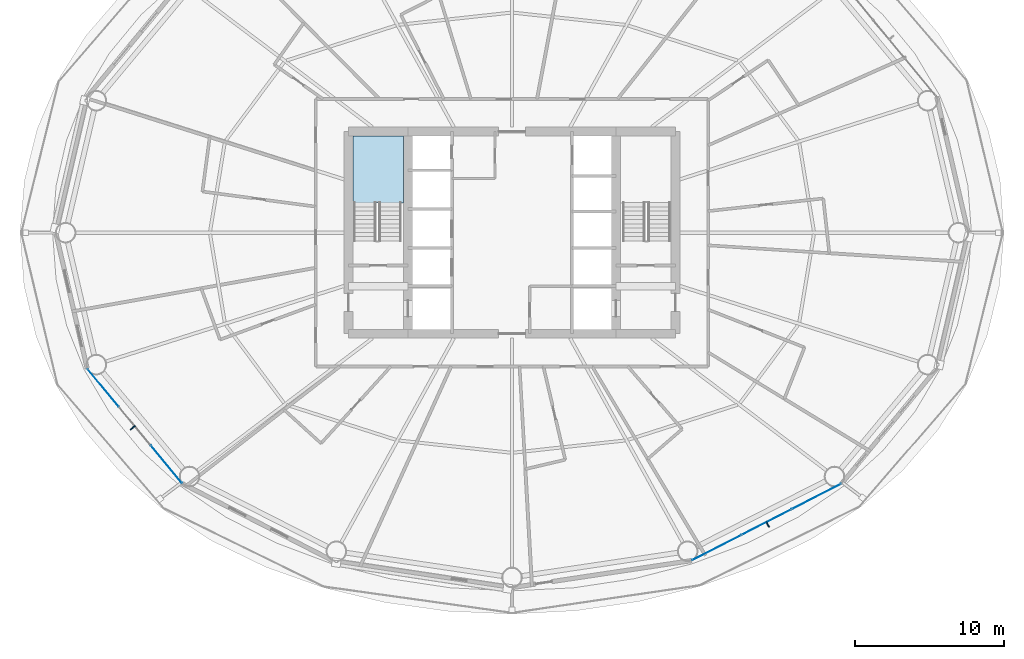
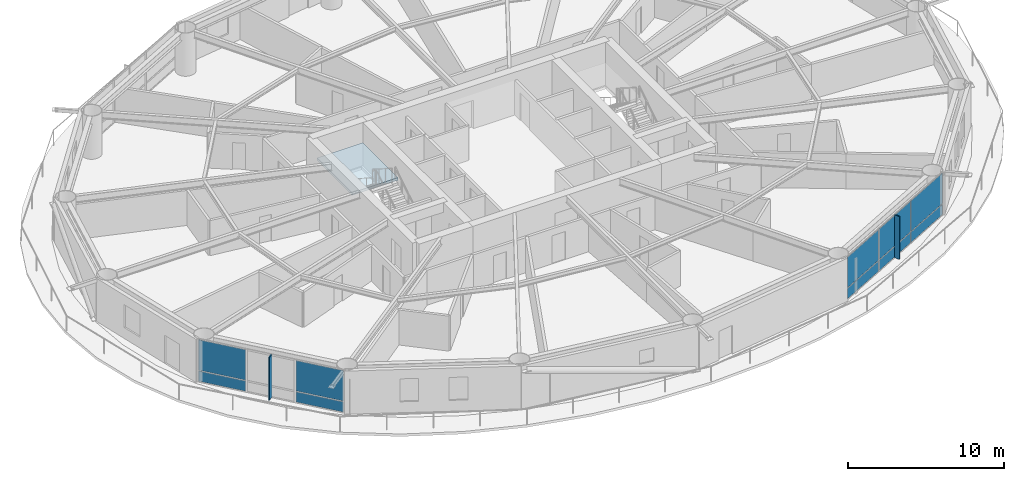
# One storey, part 16 of 26: 12 plates, 1 slab, 3 elements without a shape of their own.
"""IFC4 building model written with IfcOpenShell, lengths in metres."""

from ifc_helpers import new_model, si_unit, direction, frame, origin, origin_2d, place, context, subcontext, project, spatial, polyline, rectangle, outline, extrude, material, layer, layer_set, type_object, element, aggregate, save


model = new_model("IFC4")

# Units and contexts
model_context = context("Model", 3, precision=1e-05, world=origin(), true_north=direction((0.0, 1.0)))
body_context = subcontext(model_context, "Body", "Model", "MODEL_VIEW")
ifc_project = project(units=[si_unit("LENGTHUNIT", "METRE"), si_unit("AREAUNIT", "SQUARE_METRE"), si_unit("VOLUMEUNIT", "CUBIC_METRE"), si_unit("PLANEANGLEUNIT", "RADIAN"), si_unit("MASSUNIT", "GRAM", prefix="KILO")], contexts=[model_context])

# Site, building, storey
site_placement = place(None, origin())
site = spatial("IfcSite", under=ifc_project, at=site_placement, CompositionType="ELEMENT")
building_placement = place(site_placement, origin())
building = spatial("IfcBuilding", under=site, at=building_placement, Name="Sarneth Arch Tower", CompositionType="ELEMENT")
storey_placement = place(building_placement, frame((0.0, 0.0, 49.800048828125)))
storey = spatial("IfcBuildingStorey", under=building, at=storey_placement, Name="L11", CompositionType="ELEMENT", Elevation=49.800048828125)

# Curtain wall, plates
ifc_material_1 = material(Name="Anodised aluminium Type AA25 and solar-control low-e laminated IGU", Category="aluminium")
ifc_layer_1 = layer(ifc_material_1, 0.159912109375)
ifc_layer_set_1 = layer_set([ifc_layer_1], Name="Anodised aluminium Type AA25 and solar-control low-e laminated IGU")
curtain_wall_type = type_object("IfcCurtainWallType", Name="CW-HOTEL-LOW", PredefinedType="NOTDEFINED", material=ifc_layer_set_1)
curtain_wall_1_placement = place(storey_placement, origin())
curtain_wall_1 = element("IfcCurtainWall", 1, at=curtain_wall_1_placement, inside=storey, type_object=curtain_wall_type, Name="L11 Unitised curtain wall facet 10", PredefinedType="NOTDEFINED")
ifc_material_2 = material(Name="Solar-control low-e laminated IGU", Category="glass")
ifc_layer_2 = layer(ifc_material_2, 0.028076171875)
ifc_layer_set_2 = layer_set([ifc_layer_2], Name="Solar-control low-e laminated IGU")
plate_type_1 = type_object("IfcPlateType", Name="CW-PANEL", PredefinedType="CURTAIN_PANEL", material=ifc_layer_set_2)
plate_1_placement = place(storey_placement, frame((20.496337890625, 31.558837890625, 0.059814453125), z_axis=(0.0, 0.0, 1.0), x_axis=(0.637291340827, -0.770622960278, 0.0)))
plate_1 = element("IfcPlate", 2, at=plate_1_placement, type_object=plate_type_1, Name="Curtain wall glazed vision pane CW-L11-F10/P00-00", PredefinedType="CURTAIN_PANEL", context=body_context, shape_type="SweptSolid", body=[
    extrude(rectangle(XDim=3.260986328125, YDim=0.028076171875, at=origin_2d()), origin(), (0.0, 0.0, 1.0), 0.81005859375),
])
plate_2_placement = place(storey_placement, frame((20.496337890625, 31.558837890625, 0.93017578125), z_axis=(0.0, 0.0, 1.0), x_axis=(0.637291340827, -0.770622960278, 0.0)))
plate_2 = element("IfcPlate", 3, at=plate_2_placement, type_object=plate_type_1, Name="Curtain wall glazed vision pane CW-L11-F10/P00-01", PredefinedType="CURTAIN_PANEL", context=body_context, shape_type="SweptSolid", body=[
    extrude(rectangle(XDim=3.260986328125, YDim=0.028076171875, at=origin_2d()), origin(), (0.0, 0.0, 1.0), 2.389892578125),
])
plate_3_placement = place(storey_placement, frame((24.74853515625, 26.4169921875, 0.059814453125), z_axis=(0.0, 0.0, 1.0), x_axis=(0.637291340827, -0.770622960278, 0.0)))
plate_3 = element("IfcPlate", 4, at=plate_3_placement, type_object=plate_type_1, Name="Curtain wall glazed vision pane CW-L11-F10/P02-00", PredefinedType="CURTAIN_PANEL", context=body_context, shape_type="SweptSolid", body=[
    extrude(rectangle(XDim=3.260986328125, YDim=0.028076171875, at=origin_2d()), origin(), (0.0, 0.0, 1.0), 0.81005859375),
])
plate_4_placement = place(storey_placement, frame((24.74853515625, 26.4169921875, 0.93017578125), z_axis=(0.0, 0.0, 1.0), x_axis=(0.637291340827, -0.770622960278, 0.0)))
plate_4 = element("IfcPlate", 5, at=plate_4_placement, type_object=plate_type_1, Name="Curtain wall glazed vision pane CW-L11-F10/P02-01", PredefinedType="CURTAIN_PANEL", context=body_context, shape_type="SweptSolid", body=[
    extrude(rectangle(XDim=3.260986328125, YDim=0.028076171875, at=origin_2d()), origin(), (0.0, 0.0, 1.0), 2.389892578125),
])
aggregate(curtain_wall_1, [plate_1, plate_2, plate_3, plate_4])

curtain_wall_2_placement = place(storey_placement, origin())
curtain_wall_2 = element("IfcCurtainWall", 6, at=curtain_wall_2_placement, inside=storey, type_object=curtain_wall_type, Name="L11 Unitised curtain wall facet 14", PredefinedType="NOTDEFINED")
plate_5_placement = place(storey_placement, frame((61.77392578125, 20.807373046875, 0.059814453125), z_axis=(0.0, 0.0, 1.0), x_axis=(0.889854100456, 0.456245197127, 0.0)))
plate_5 = element("IfcPlate", 7, at=plate_5_placement, type_object=plate_type_1, Name="Curtain wall glazed vision pane CW-L11-F14/P00-00", PredefinedType="CURTAIN_PANEL", context=body_context, shape_type="SweptSolid", body=[
    extrude(rectangle(XDim=3.69189453125, YDim=0.028076171875, at=origin_2d()), origin(), (0.0, 0.0, 1.0), 0.81005859375),
])
plate_6_placement = place(storey_placement, frame((61.77392578125, 20.807373046875, 0.93017578125), z_axis=(0.0, 0.0, 1.0), x_axis=(0.889854100456, 0.456245197127, 0.0)))
plate_6 = element("IfcPlate", 8, at=plate_6_placement, type_object=plate_type_1, Name="Curtain wall glazed vision pane CW-L11-F14/P00-01", PredefinedType="CURTAIN_PANEL", context=body_context, shape_type="SweptSolid", body=[
    extrude(rectangle(XDim=3.69189453125, YDim=0.028076171875, at=origin_2d()), origin(), (0.0, 0.0, 1.0), 2.389892578125),
])
plate_7_placement = place(storey_placement, frame((65.1259765625, 22.526123046875, 0.059814453125), z_axis=(0.0, 0.0, 1.0), x_axis=(0.889854100456, 0.456245197127, 0.0)))
plate_7 = element("IfcPlate", 9, at=plate_7_placement, type_object=plate_type_1, Name="Curtain wall glazed vision pane CW-L11-F14/P01-00", PredefinedType="CURTAIN_PANEL", context=body_context, shape_type="SweptSolid", body=[
    extrude(rectangle(XDim=3.721923828125, YDim=0.028076171875, at=origin_2d()), origin(), (0.0, 0.0, 1.0), 0.81005859375),
])
plate_8_placement = place(storey_placement, frame((65.1259765625, 22.526123046875, 0.93017578125), z_axis=(0.0, 0.0, 1.0), x_axis=(0.889854100456, 0.456245197127, 0.0)))
plate_8 = element("IfcPlate", 10, at=plate_8_placement, type_object=plate_type_1, Name="Curtain wall glazed vision pane CW-L11-F14/P01-01", PredefinedType="CURTAIN_PANEL", context=body_context, shape_type="SweptSolid", body=[
    extrude(rectangle(XDim=3.721923828125, YDim=0.028076171875, at=origin_2d()), origin(), (0.0, 0.0, 1.0), 2.389892578125),
])
plate_9_placement = place(storey_placement, frame((68.47802734375, 24.24462890625, 0.059814453125), z_axis=(0.0, 0.0, 1.0), x_axis=(0.889854100456, 0.456245197127, 0.0)))
plate_9 = element("IfcPlate", 11, at=plate_9_placement, type_object=plate_type_1, Name="Curtain wall glazed vision pane CW-L11-F14/P02-00", PredefinedType="CURTAIN_PANEL", context=body_context, shape_type="SweptSolid", body=[
    extrude(rectangle(XDim=3.69189453125, YDim=0.028076171875, at=origin_2d()), origin(), (0.0, 0.0, 1.0), 0.81005859375),
])
plate_10_placement = place(storey_placement, frame((68.47802734375, 24.24462890625, 0.93017578125), z_axis=(0.0, 0.0, 1.0), x_axis=(0.889854100456, 0.456245197127, 0.0)))
plate_10 = element("IfcPlate", 12, at=plate_10_placement, type_object=plate_type_1, Name="Curtain wall glazed vision pane CW-L11-F14/P02-01", PredefinedType="CURTAIN_PANEL", context=body_context, shape_type="SweptSolid", body=[
    extrude(rectangle(XDim=3.69189453125, YDim=0.028076171875, at=origin_2d()), origin(), (0.0, 0.0, 1.0), 2.389892578125),
])
aggregate(curtain_wall_2, [plate_5, plate_6, plate_7, plate_8, plate_9, plate_10])

# Plates
ifc_material_3 = material(Name="Extruded glazed terracotta baguette fin on Aluminium 6063-T6 carrier", Category="masonry")
ifc_layer_3 = layer(ifc_material_3, 0.080078125)
ifc_layer_set_3 = layer_set([ifc_layer_3], Name="Extruded glazed terracotta baguette fin on Aluminium 6063-T6 carrier")
plate_type_2 = type_object("IfcPlateType", Name="SHADE-TERRA-FIN", PredefinedType="SHEET", material=ifc_layer_set_3)
for number, where, z_axis, x_axis, name in (
    (13, (22.491455078125, 28.879638671875, 0.009765625), (0.0, 0.0, 1.0), (-0.770624482513, -0.637289500111, 0.0), "L11 Terracotta vertical shading fin 10"),
    (14, (65.20361328125, 22.374755859375, 0.009765625), (0.0, 0.0, 1.0), (0.4563215909, -0.889814927768, 0.0), "L11 Terracotta vertical shading fin 14"),
):
    element("IfcPlate", number, at=place(storey_placement, frame(where, z_axis=z_axis, x_axis=x_axis)), inside=storey, type_object=plate_type_2, Name=name, PredefinedType="SHEET", context=body_context, shape_type="SweptSolid", body=[
        extrude(rectangle(XDim=0.419921875, YDim=0.080078125, at=origin_2d()), origin(), (0.0, 0.0, 1.0), 3.360107421875),
    ])

# Stair, slab
ifc_material_4 = material(Name="Concrete C50/60", Category="concrete")
stair_type = type_object("IfcStairType", Name="STAIR-CORE-RC", PredefinedType="HALF_TURN_STAIR", material=ifc_material_4)
stair_placement = place(storey_placement, origin())
stair = element("IfcStair", 15, at=stair_placement, inside=storey, type_object=stair_type, Name="L11 Core Exit Stair 1", PredefinedType="HALF_TURN_STAIR")
ifc_material_5 = material(Name="Concrete C50/60", Category="concrete")
ifc_layer_4 = layer(ifc_material_5, 0.199951171875)
ifc_layer_set_4 = layer_set([ifc_layer_4], Name="Concrete C50/60")
slab_type = type_object("IfcSlabType", Name="SLAB-LANDING-200", PredefinedType="LANDING", material=ifc_layer_set_4)
slab_placement = place(storey_placement, frame((0.0, 0.0, 1.599853515625)))
slab = element("IfcSlab", 16, at=slab_placement, type_object=slab_type, Name="ST-1 landing 1", PredefinedType="LANDING", context=body_context, shape_type="SweptSolid", body=[
    extrude(outline(polyline([(37.300048828125, 43.985107421875), (40.699951171875, 43.985107421875), (40.699951171875, 48.5), (37.300048828125, 48.5), (37.300048828125, 43.985107421875)])), origin(), (0.0, 0.0, 1.0), 0.2001953125),
])
aggregate(stair, [slab])

save(model, "model.ifc")
